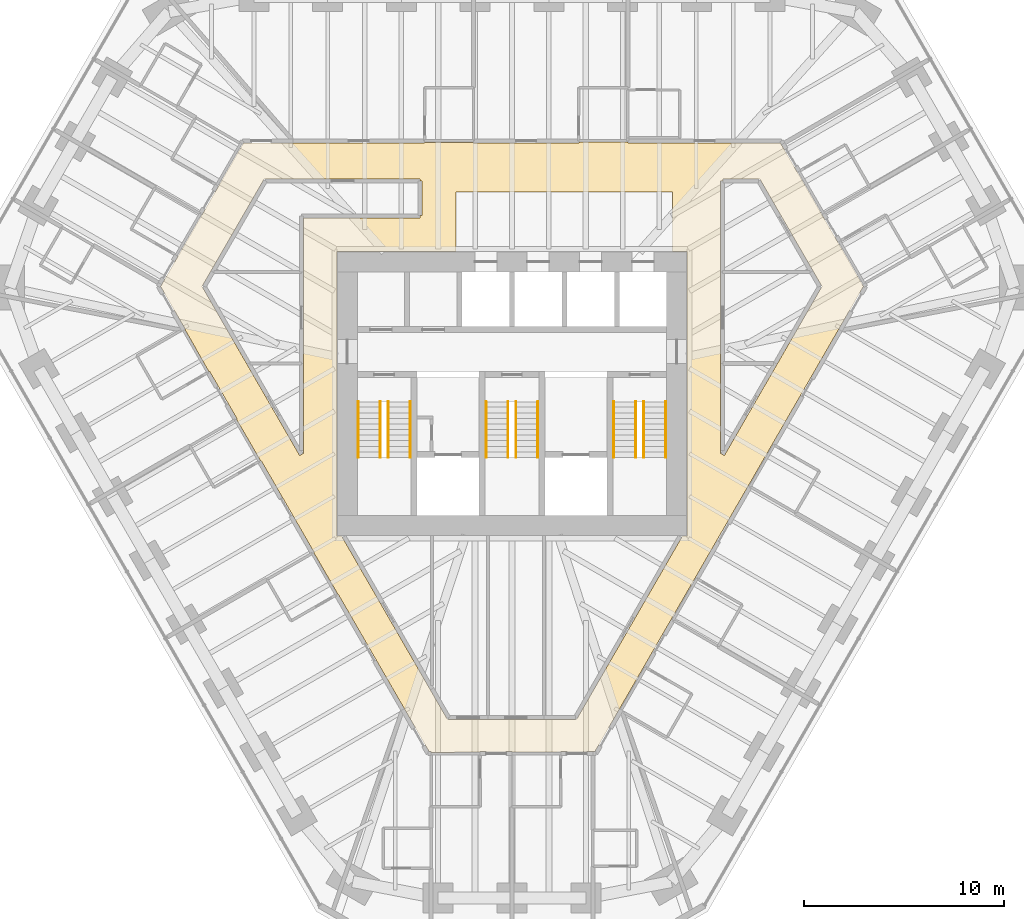
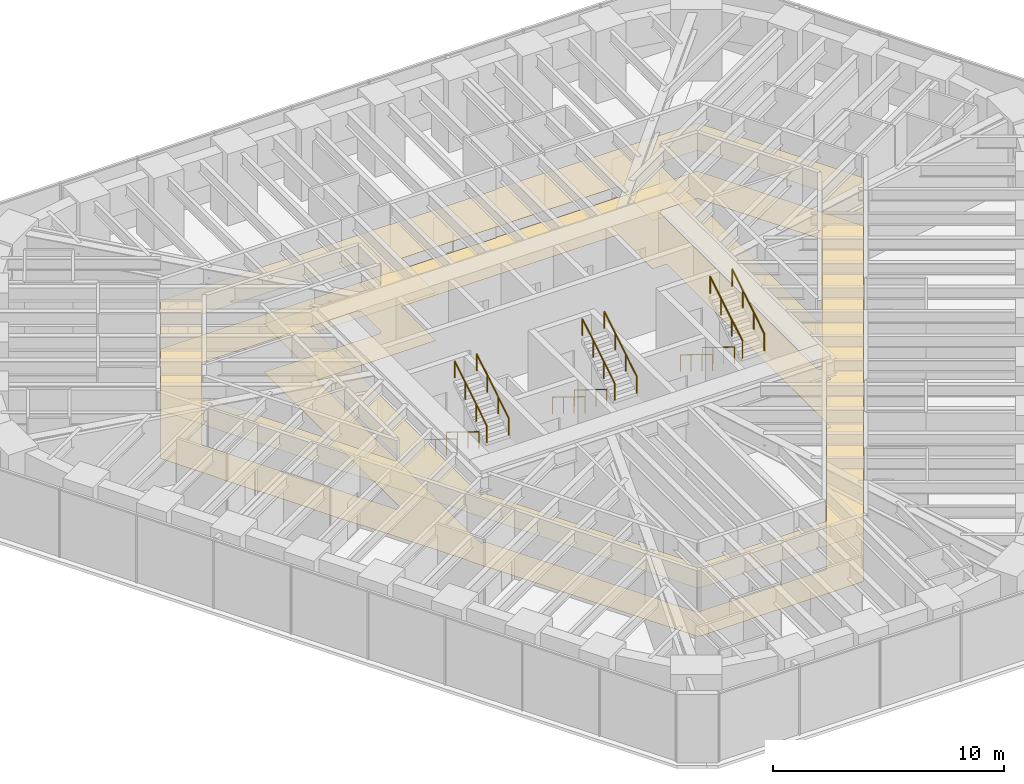
# One storey, part 17 of 17: 12 railings, 2 coverings.
"""IFC4 building model written with IfcOpenShell, lengths in metres."""

from ifc_helpers import new_model, si_unit, direction, frame, origin, origin_2d, place, context, subcontext, project, spatial, polyline, circle, outline, extrude, material, layer, layer_set, type_object, element, save


model = new_model("IFC4")

# Units and contexts
model_context = context("Model", 3, precision=1e-05, world=origin(), true_north=direction((0.0, 1.0)))
body_context = subcontext(model_context, "Body", "Model", "MODEL_VIEW")
ifc_project = project(units=[si_unit("LENGTHUNIT", "METRE"), si_unit("AREAUNIT", "SQUARE_METRE"), si_unit("VOLUMEUNIT", "CUBIC_METRE"), si_unit("PLANEANGLEUNIT", "RADIAN"), si_unit("MASSUNIT", "GRAM", prefix="KILO")], contexts=[model_context])

# Site, building, storey
site_placement = place(None, origin())
site = spatial("IfcSite", under=ifc_project, at=site_placement, CompositionType="ELEMENT")
building_placement = place(site_placement, origin())
building = spatial("IfcBuilding", under=site, at=building_placement, Name="Sandreach Pilgrim Tower", CompositionType="ELEMENT")
storey_placement = place(building_placement, frame((0.0, 0.0, 198.39990234375)))
storey = spatial("IfcBuildingStorey", under=building, at=storey_placement, Name="L49", CompositionType="ELEMENT", Elevation=198.39990234375)

# Coverings
ifc_material_1 = material(Name="Nylon carpet tile on the slab", Category="textile")
ifc_layer_1 = layer(ifc_material_1, 0.008056640625)
ifc_layer_set_1 = layer_set([ifc_layer_1], Name="Carpet tile")
covering_type_1 = type_object("IfcCoveringType", Name="Carpet tile", PredefinedType="FLOORING", material=ifc_layer_set_1)
covering_1_placement = place(storey_placement, origin())
element("IfcCovering", 1, at=covering_1_placement, inside=storey, type_object=covering_type_1, Name="Floor finish 49C Corridor 49", PredefinedType="FLOORING", context=body_context, shape_type="SweptSolid", body=[
    extrude(outline(polyline([(-17.60302734375, 5.3671875), (-13.445068359375, 12.56005859375), (-4.3798828125, 12.56005859375), (-4.3798828125, 12.578857421875), (-1.929931640625, 12.583984375), (-1.929931640625, 12.56005859375), (3.35009765625, 12.56005859375), (3.35009765625, 12.594970703125), (5.800048828125, 12.60009765625), (5.800048828125, 12.56005859375), (13.442138671875, 12.56005859375), (17.60302734375, 5.3671875), (4.15234375, -17.929931640625), (0.0, -17.9501953125), (0.0, -17.929931640625), (-1.60009765625, -17.929931640625), (-1.60009765625, -17.9580078125), (-4.050048828125, -17.969970703125), (-4.050048828125, -17.929931640625), (-4.15234375, -17.929931640625), (-8.715576171875, -10.03125), (-8.727294921875, -10.037841796875), (-9.931396484375, -7.96044921875), (-9.913330078125, -7.949951171875), (-12.573486328125, -3.340087890625), (-12.600830078125, -3.35595703125), (-13.80517578125, -1.2783203125), (-13.7734375, -1.260009765625), (-15.143310546875, 1.110107421875), (-15.177978515625, 1.090087890625), (-16.380126953125, 3.210205078125), (-16.36328125, 3.219970703125), (-17.60302734375, 5.3671875)]), holes=[polyline([(10.449951171875, 10.659912109375), (10.449951171875, -2.9921875), (10.63671875, -3.10009765625), (15.525634765625, 5.370361328125), (12.40771484375, 10.760009765625), (10.56005859375, 10.760009765625), (10.56005859375, 10.66015625), (10.449951171875, 10.659912109375)]), polyline([(-3.227783203125, -16.330078125), (3.227783203125, -16.330078125), (8.542724609375, -7.1201171875), (8.77001953125, -7.1201171875), (8.77001953125, 7.1201171875), (8.050048828125, 7.1201171875), (8.050048828125, 10.10009765625), (-2.800048828125, 10.10009765625), (-2.800048828125, 7.1201171875), (-8.77001953125, 7.1201171875), (-8.77001953125, -7.1201171875), (-8.542724609375, -7.1201171875), (-3.227783203125, -16.330078125)]), polyline([(-15.525634765625, 5.370361328125), (-10.636474609375, -3.10009765625), (-10.449951171875, -2.9921875), (-10.449951171875, 8.800048828125), (-4.60009765625, 8.800048828125), (-4.60009765625, 8.909912109375), (-4.5, 8.909912109375), (-4.5, 10.64990234375), (-4.60009765625, 10.64990234375), (-4.60009765625, 10.760009765625), (-12.40771484375, 10.760009765625), (-15.525634765625, 5.370361328125)])]), origin(), (0.0, 0.0, 1.0), 0.008056640625),
])
ifc_material_2 = material(Name="Gypsum board suspended ceiling on a steel grid", Category="steel")
ifc_layer_2 = layer(ifc_material_2, 0.012939453125)
ifc_layer_set_2 = layer_set([ifc_layer_2], Name="Gypsum board suspended ceiling")
covering_type_2 = type_object("IfcCoveringType", Name="Gypsum board suspended ceiling", PredefinedType="CEILING", material=ifc_layer_set_2)
covering_2_placement = place(storey_placement, frame((0.0, 0.0, 2.550048828125)))
element("IfcCovering", 2, at=covering_2_placement, inside=storey, type_object=covering_type_2, Name="Ceiling 49C Corridor 49", PredefinedType="CEILING", context=body_context, shape_type="SweptSolid", body=[
    extrude(outline(polyline([(-17.60302734375, 5.3671875), (-13.445068359375, 12.56005859375), (-4.3798828125, 12.56005859375), (-4.3798828125, 12.578857421875), (-1.929931640625, 12.583984375), (-1.929931640625, 12.56005859375), (3.35009765625, 12.56005859375), (3.35009765625, 12.594970703125), (5.800048828125, 12.60009765625), (5.800048828125, 12.56005859375), (13.442138671875, 12.56005859375), (17.60302734375, 5.3671875), (4.15234375, -17.929931640625), (0.0, -17.9501953125), (0.0, -17.929931640625), (-1.60009765625, -17.929931640625), (-1.60009765625, -17.9580078125), (-4.050048828125, -17.969970703125), (-4.050048828125, -17.929931640625), (-4.15234375, -17.929931640625), (-8.715576171875, -10.03125), (-8.727294921875, -10.037841796875), (-9.931396484375, -7.96044921875), (-9.913330078125, -7.949951171875), (-12.573486328125, -3.340087890625), (-12.600830078125, -3.35595703125), (-13.80517578125, -1.2783203125), (-13.7734375, -1.260009765625), (-15.143310546875, 1.110107421875), (-15.177978515625, 1.090087890625), (-16.380126953125, 3.210205078125), (-16.36328125, 3.219970703125), (-17.60302734375, 5.3671875)]), holes=[polyline([(10.449951171875, 10.659912109375), (10.449951171875, -2.9921875), (10.63671875, -3.10009765625), (15.525634765625, 5.370361328125), (12.40771484375, 10.760009765625), (10.56005859375, 10.760009765625), (10.56005859375, 10.66015625), (10.449951171875, 10.659912109375)]), polyline([(-3.227783203125, -16.330078125), (3.227783203125, -16.330078125), (8.542724609375, -7.1201171875), (8.77001953125, -7.1201171875), (8.77001953125, 7.1201171875), (8.050048828125, 7.1201171875), (8.050048828125, 10.10009765625), (-2.800048828125, 10.10009765625), (-2.800048828125, 7.1201171875), (-8.77001953125, 7.1201171875), (-8.77001953125, -7.1201171875), (-8.542724609375, -7.1201171875), (-3.227783203125, -16.330078125)]), polyline([(-15.525634765625, 5.370361328125), (-10.636474609375, -3.10009765625), (-10.449951171875, -2.9921875), (-10.449951171875, 8.800048828125), (-4.60009765625, 8.800048828125), (-4.60009765625, 8.909912109375), (-4.5, 8.909912109375), (-4.5, 10.64990234375), (-4.60009765625, 10.64990234375), (-4.60009765625, 10.760009765625), (-12.40771484375, 10.760009765625), (-15.525634765625, 5.370361328125)])]), origin(), (0.0, 0.0, 1.0), 0.012939453125),
])

# Railings
ifc_material_3 = material(Name="Stainless steel tube", Category="steel")
railing_type = type_object("IfcRailingType", Name="Stair handrail", PredefinedType="HANDRAIL", material=ifc_material_3)
for number, where, name in (
    (3, (-6.60009765625, -0.39990234375, 0.1728515625), "Handrail ST1 L49 flight 1"),
    (4, (-7.699951171875, -0.39990234375, 0.1728515625), "Handrail ST1 L49 flight 1"),
):
    element("IfcRailing", number, at=place(storey_placement, frame(where)), inside=storey, type_object=railing_type, Name=name, PredefinedType="HANDRAIL", context=body_context, shape_type="SweptSolid", body=[
        extrude(circle(Radius=0.02392578125, at=origin_2d()), frame((0.0, 0.0, 0.8759765625), z_axis=(0.0, -0.851089632645, 0.525020415988), x_axis=(1.0, 0.0, 0.0)), (0.0, 0.0, 1.0), 3.2900390625),
        extrude(circle(Radius=0.02099609375, at=origin_2d()), origin(), (0.0, 0.0, 1.0), 0.851806640625),
        extrude(circle(Radius=0.02099609375, at=origin_2d()), frame((0.0, -0.933349609375, 0.57568359375)), (0.0, 0.0, 1.0), 0.851806640625),
        extrude(circle(Radius=0.02099609375, at=origin_2d()), frame((0.0, -1.86669921875, 1.151611328125)), (0.0, 0.0, 1.0), 0.851806640625),
        extrude(circle(Radius=0.02099609375, at=origin_2d()), frame((0.0, -2.800048828125, 1.727294921875)), (0.0, 0.0, 1.0), 0.851806640625),
    ])
for number, where, name in (
    (5, (-6.199951171875, -3.199951171875, 2.07275390625), "Handrail ST1 L49 flight 2"),
    (6, (-5.10009765625, -3.199951171875, 2.07275390625), "Handrail ST1 L49 flight 2"),
):
    element("IfcRailing", number, at=place(storey_placement, frame(where)), inside=storey, type_object=railing_type, Name=name, PredefinedType="HANDRAIL", context=body_context, shape_type="SweptSolid", body=[
        extrude(circle(Radius=0.02392578125, at=origin_2d()), frame((0.0, 0.0, 0.8759765625), z_axis=(0.0, 0.851089632645, 0.525020415988), x_axis=(-1.0, 0.0, 0.0)), (0.0, 0.0, 1.0), 3.2900390625),
        extrude(circle(Radius=0.02099609375, at=origin_2d()), origin(), (0.0, 0.0, 1.0), 0.851806640625),
        extrude(circle(Radius=0.02099609375, at=origin_2d()), frame((0.0, 0.933349609375, 0.57568359375)), (0.0, 0.0, 1.0), 0.851806640625),
        extrude(circle(Radius=0.02099609375, at=origin_2d()), frame((0.0, 1.86669921875, 1.151611328125)), (0.0, 0.0, 1.0), 0.851806640625),
        extrude(circle(Radius=0.02099609375, at=origin_2d()), frame((0.0, 2.800048828125, 1.727294921875)), (0.0, 0.0, 1.0), 0.851806640625),
    ])
for number, where, name in (
    (7, (-0.199951171875, -0.39990234375, 0.1728515625), "Handrail ST3 L49 flight 1"),
    (8, (-1.300048828125, -0.39990234375, 0.1728515625), "Handrail ST3 L49 flight 1"),
):
    element("IfcRailing", number, at=place(storey_placement, frame(where)), inside=storey, type_object=railing_type, Name=name, PredefinedType="HANDRAIL", context=body_context, shape_type="SweptSolid", body=[
        extrude(circle(Radius=0.02392578125, at=origin_2d()), frame((0.0, 0.0, 0.8759765625), z_axis=(0.0, -0.851089632645, 0.525020415988), x_axis=(1.0, 0.0, 0.0)), (0.0, 0.0, 1.0), 3.2900390625),
        extrude(circle(Radius=0.02099609375, at=origin_2d()), origin(), (0.0, 0.0, 1.0), 0.851806640625),
        extrude(circle(Radius=0.02099609375, at=origin_2d()), frame((0.0, -0.933349609375, 0.57568359375)), (0.0, 0.0, 1.0), 0.851806640625),
        extrude(circle(Radius=0.02099609375, at=origin_2d()), frame((0.0, -1.86669921875, 1.151611328125)), (0.0, 0.0, 1.0), 0.851806640625),
        extrude(circle(Radius=0.02099609375, at=origin_2d()), frame((0.0, -2.800048828125, 1.727294921875)), (0.0, 0.0, 1.0), 0.851806640625),
    ])
for number, where, name in (
    (9, (0.199951171875, -3.199951171875, 2.07275390625), "Handrail ST3 L49 flight 2"),
    (10, (1.300048828125, -3.199951171875, 2.07275390625), "Handrail ST3 L49 flight 2"),
):
    element("IfcRailing", number, at=place(storey_placement, frame(where)), inside=storey, type_object=railing_type, Name=name, PredefinedType="HANDRAIL", context=body_context, shape_type="SweptSolid", body=[
        extrude(circle(Radius=0.02392578125, at=origin_2d()), frame((0.0, 0.0, 0.8759765625), z_axis=(0.0, 0.851089632645, 0.525020415988), x_axis=(-1.0, 0.0, 0.0)), (0.0, 0.0, 1.0), 3.2900390625),
        extrude(circle(Radius=0.02099609375, at=origin_2d()), origin(), (0.0, 0.0, 1.0), 0.851806640625),
        extrude(circle(Radius=0.02099609375, at=origin_2d()), frame((0.0, 0.933349609375, 0.57568359375)), (0.0, 0.0, 1.0), 0.851806640625),
        extrude(circle(Radius=0.02099609375, at=origin_2d()), frame((0.0, 1.86669921875, 1.151611328125)), (0.0, 0.0, 1.0), 0.851806640625),
        extrude(circle(Radius=0.02099609375, at=origin_2d()), frame((0.0, 2.800048828125, 1.727294921875)), (0.0, 0.0, 1.0), 0.851806640625),
    ])
for number, where, name in (
    (11, (6.199951171875, -0.39990234375, 0.1728515625), "Handrail ST2 L49 flight 1"),
    (12, (5.10009765625, -0.39990234375, 0.1728515625), "Handrail ST2 L49 flight 1"),
):
    element("IfcRailing", number, at=place(storey_placement, frame(where)), inside=storey, type_object=railing_type, Name=name, PredefinedType="HANDRAIL", context=body_context, shape_type="SweptSolid", body=[
        extrude(circle(Radius=0.02392578125, at=origin_2d()), frame((0.0, 0.0, 0.8759765625), z_axis=(0.0, -0.851089632645, 0.525020415988), x_axis=(1.0, 0.0, 0.0)), (0.0, 0.0, 1.0), 3.2900390625),
        extrude(circle(Radius=0.02099609375, at=origin_2d()), origin(), (0.0, 0.0, 1.0), 0.851806640625),
        extrude(circle(Radius=0.02099609375, at=origin_2d()), frame((0.0, -0.933349609375, 0.57568359375)), (0.0, 0.0, 1.0), 0.851806640625),
        extrude(circle(Radius=0.02099609375, at=origin_2d()), frame((0.0, -1.86669921875, 1.151611328125)), (0.0, 0.0, 1.0), 0.851806640625),
        extrude(circle(Radius=0.02099609375, at=origin_2d()), frame((0.0, -2.800048828125, 1.727294921875)), (0.0, 0.0, 1.0), 0.851806640625),
    ])
for number, where, name in (
    (13, (6.60009765625, -3.199951171875, 2.07275390625), "Handrail ST2 L49 flight 2"),
    (14, (7.699951171875, -3.199951171875, 2.07275390625), "Handrail ST2 L49 flight 2"),
):
    element("IfcRailing", number, at=place(storey_placement, frame(where)), inside=storey, type_object=railing_type, Name=name, PredefinedType="HANDRAIL", context=body_context, shape_type="SweptSolid", body=[
        extrude(circle(Radius=0.02392578125, at=origin_2d()), frame((0.0, 0.0, 0.8759765625), z_axis=(0.0, 0.851089632645, 0.525020415988), x_axis=(-1.0, 0.0, 0.0)), (0.0, 0.0, 1.0), 3.2900390625),
        extrude(circle(Radius=0.02099609375, at=origin_2d()), origin(), (0.0, 0.0, 1.0), 0.851806640625),
        extrude(circle(Radius=0.02099609375, at=origin_2d()), frame((0.0, 0.933349609375, 0.57568359375)), (0.0, 0.0, 1.0), 0.851806640625),
        extrude(circle(Radius=0.02099609375, at=origin_2d()), frame((0.0, 1.86669921875, 1.151611328125)), (0.0, 0.0, 1.0), 0.851806640625),
        extrude(circle(Radius=0.02099609375, at=origin_2d()), frame((0.0, 2.800048828125, 1.727294921875)), (0.0, 0.0, 1.0), 0.851806640625),
    ])

save(model, "model.ifc")
